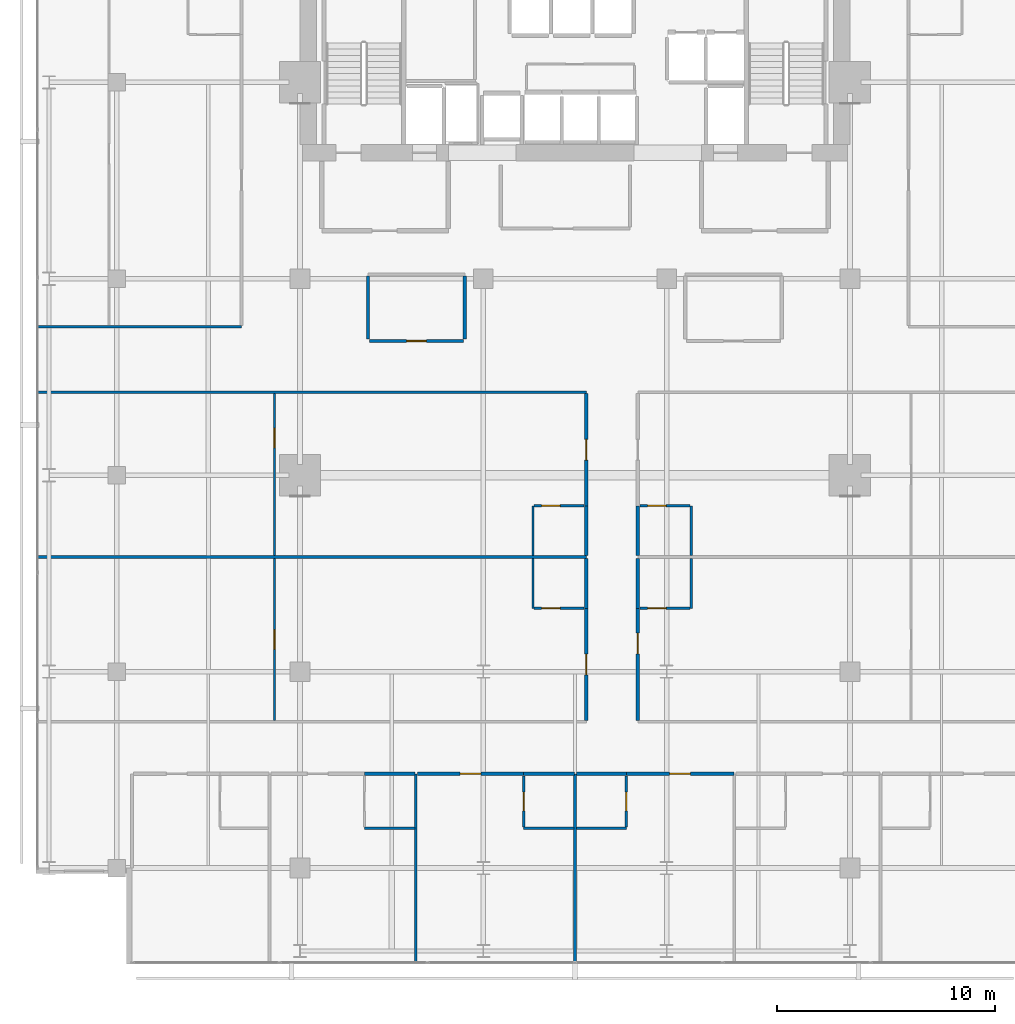
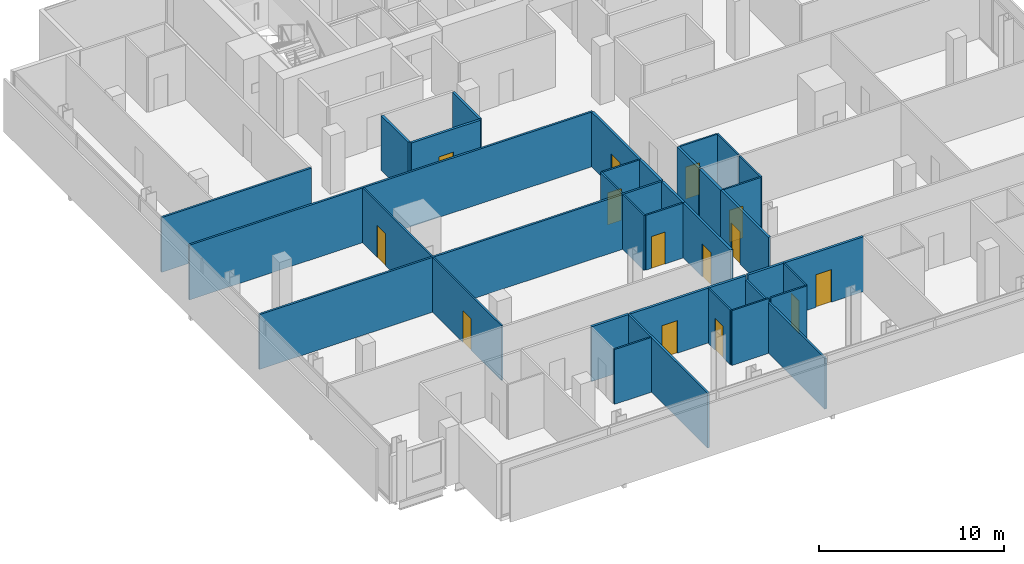
# One storey, part 27 of 33: 35 walls, 14 doors, 14 openings.
"""IFC4 building model written with IfcOpenShell, lengths in metres."""

from ifc_helpers import new_model, si_unit, direction, frame, frame_2d, origin, place, context, subcontext, project, spatial, rectangle, extrude, material, layer, layer_set, type_object, element, fill, save


model = new_model("IFC4")

# Units and contexts
model_context = context("Model", 3, precision=1e-05, world=origin(), true_north=direction((0.0, 1.0)))
body_context = subcontext(model_context, "Body", "Model", "MODEL_VIEW")
ifc_project = project(units=[si_unit("LENGTHUNIT", "METRE"), si_unit("AREAUNIT", "SQUARE_METRE"), si_unit("VOLUMEUNIT", "CUBIC_METRE"), si_unit("PLANEANGLEUNIT", "RADIAN"), si_unit("MASSUNIT", "GRAM", prefix="KILO")], contexts=[model_context])

# Site, building, storey
site_placement = place(None, origin())
site = spatial("IfcSite", under=ifc_project, at=site_placement, CompositionType="ELEMENT")
building_placement = place(site_placement, origin())
building = spatial("IfcBuilding", under=site, at=building_placement, Name="Maruvema Waterfront Hotel and Observation Tower", CompositionType="ELEMENT")
storey_placement = place(building_placement, frame((0.0, 0.0, 196.699951171875)))
storey = spatial("IfcBuildingStorey", under=building, at=storey_placement, Name="L48", CompositionType="ELEMENT", Elevation=196.699951171875)

# Walls
ifc_material_1 = material(Name="Twin-stud acoustic gypsum drywall", Category="gypsum")
ifc_layer_1 = layer(ifc_material_1, 0.14990234375, Name="Acoustic Corridor and Suite Demising Wall 150 mm")
ifc_layer_set_1 = layer_set([ifc_layer_1], Name="Twin-stud acoustic gypsum drywall")
wall_type_1 = type_object("IfcWallType", Name="Acoustic Corridor and Suite Demising Wall 150 mm", PredefinedType="PARTITIONING", material=ifc_layer_set_1)
for number, where, z_axis, x_axis, name in (
    (1, (28.320068359375, 33.22998046875, 0.0), (0.0, 0.0, 1.0), (0.0, 1.0, 0.0), "L48 L48-M1 West Wall 022"),
    (2, (32.75, 33.22998046875, 0.0), (0.0, 0.0, 1.0), (0.0, 1.0, 0.0), "L48 L48-M1 East Wall 023"),
):
    element("IfcWall", number, at=place(storey_placement, frame(where, z_axis=z_axis, x_axis=x_axis)), inside=storey, type_object=wall_type_1, Name=name, PredefinedType="PARTITIONING", context=body_context, shape_type="SweptSolid", body=[
        extrude(rectangle(XDim=2.89013671875, YDim=0.14990234375, at=frame_2d((1.445068359375, 0.0))), origin(), (0.0, 0.0, 1.0), 3.610107421875),
    ])

# Wall, opening, door
wall_1_placement = place(storey_placement, frame((28.3798828125, 33.14990234375, 0.0), z_axis=(0.0, 0.0, 1.0), x_axis=(1.0, 0.0, 0.0)))
wall_1 = element("IfcWall", 3, at=wall_1_placement, inside=storey, type_object=wall_type_1, Name="L48 L48-M1 Front 1 024", PredefinedType="PARTITIONING", context=body_context, shape_type="SweptSolid", body=[
    extrude(rectangle(XDim=4.31005859375, YDim=0.14990234375, at=frame_2d((2.155029296875, 0.0))), origin(), (0.0, 0.0, 1.0), 3.610107421875),
])
opening_1_placement = place(wall_1_placement, frame((1.705078125, 0.0, 0.0)))
opening_1 = element("IfcOpeningElement", 4, at=opening_1_placement, cuts=wall_1, Name="Opening DR-090", PredefinedType="OPENING", context=body_context, shape_type="SweptSolid", body=[
    extrude(rectangle(XDim=0.89990234375, YDim=2.10009765625, at=frame_2d((0.449951171875, 1.050048828125))), frame((0.0, 0.0849609375, 0.0), z_axis=(0.0, -1.0, 0.0), x_axis=(1.0, 0.0, 0.0)), (0.0, 0.0, 1.0), 0.169921875),
])
ifc_material_2 = material(Name="Solid-core lacquered timber leaf", Category="wood")
door_type_1 = type_object("IfcDoorType", Name="Accessible Toilet and Room Door 900x2100 mm", OperationType="NOTDEFINED", PredefinedType="DOOR", material=ifc_material_2)
door_1_placement = place(opening_1_placement, frame((0.89990234375, 0.0, 0.0), z_axis=(0.0, 0.0, 1.0), x_axis=(-1.0, 0.0, 0.0)))
door_1 = element("IfcDoor", 5, at=door_1_placement, inside=storey, type_object=door_type_1, Name="L48 Executive Office 1 Door", OperationType="SINGLE_SWING_RIGHT", OverallHeight=2.10009765625, OverallWidth=0.89990234375, PredefinedType="DOOR", context=body_context, shape_type="SweptSolid", body=[
    extrude(rectangle(XDim=0.89990234375, YDim=2.10009765625, at=frame_2d((0.449951171875, 1.050048828125))), frame((0.0, 0.02490234375, 0.0), z_axis=(0.0, -1.0, 0.0), x_axis=(1.0, 0.0, 0.0)), (0.0, 0.0, 1.0), 0.050048828125),
])
fill(opening_1, door_1)

# Walls
for number, where, z_axis, x_axis, name in (
    (6, (28.14990234375, 13.320068359375, 0.0), (0.0, 0.0, 1.0), (1.0, 0.0, 0.0), "L48 Bath L48-S2 Back Wall 036"),
    (7, (35.449951171875, 13.320068359375, 0.0), (0.0, 0.0, 1.0), (1.0, 0.0, 0.0), "L48 Bath L48-S3 Back Wall 041"),
):
    element("IfcWall", number, at=place(storey_placement, frame(where, z_axis=z_axis, x_axis=x_axis)), inside=storey, type_object=wall_type_1, Name=name, PredefinedType="PARTITIONING", context=body_context, shape_type="SweptSolid", body=[
        extrude(rectangle(XDim=2.330078125, YDim=0.14990234375, at=frame_2d((1.1650390625, 0.0))), origin(), (0.0, 0.0, 1.0), 3.610107421875),
    ])

# Wall, opening, door
wall_2_placement = place(storey_placement, frame((30.580078125, 13.320068359375, 0.0), z_axis=(0.0, 0.0, 1.0), x_axis=(1.0, 0.0, 0.0)))
wall_2 = element("IfcWall", 8, at=wall_2_placement, inside=storey, type_object=wall_type_1, Name="L48 Unit L48-S3 Corridor Wall 044", PredefinedType="PARTITIONING", context=body_context, shape_type="SweptSolid", body=[
    extrude(rectangle(XDim=4.869873046875, YDim=0.14990234375, at=frame_2d((2.43505859375, 0.0))), origin(), (0.0, 0.0, 1.0), 3.610107421875),
])
opening_2_placement = place(wall_2_placement, frame((1.9599609375, 0.0, 0.0)))
opening_2 = element("IfcOpeningElement", 9, at=opening_2_placement, cuts=wall_2, Name="Opening DR-095", PredefinedType="OPENING", context=body_context, shape_type="SweptSolid", body=[
    extrude(rectangle(XDim=0.949951171875, YDim=2.14990234375, at=frame_2d((0.47509765625, 1.074951171875))), frame((0.0, 0.0849609375, 0.0), z_axis=(0.0, -1.0, 0.0), x_axis=(1.0, 0.0, 0.0)), (0.0, 0.0, 1.0), 0.169921875),
])
ifc_material_3 = material(Name="Acoustic solid-core hardwood timber leaf", Category="wood")
door_type_2 = type_object("IfcDoorType", Name="Guestroom Entrance Fire Door 950x2150 mm", OperationType="NOTDEFINED", PredefinedType="DOOR", material=ifc_material_3)
door_2_placement = place(opening_2_placement, frame((0.949951171875, 0.0, 0.0), z_axis=(0.0, 0.0, 1.0), x_axis=(-1.0, 0.0, 0.0)))
door_2 = element("IfcDoor", 10, at=door_2_placement, inside=storey, type_object=door_type_2, Name="L48 Unit L48-S3 Entrance Door", OperationType="SINGLE_SWING_LEFT", OverallHeight=2.14990234375, OverallWidth=0.949951171875, PredefinedType="DOOR", context=body_context, shape_type="SweptSolid", body=[
    extrude(rectangle(XDim=0.949951171875, YDim=2.14990234375, at=frame_2d((0.47509765625, 1.074951171875))), frame((0.0, 0.02490234375, 0.0), z_axis=(0.0, -1.0, 0.0), x_axis=(1.0, 0.0, 0.0)), (0.0, 0.0, 1.0), 0.050048828125),
])
fill(opening_2, door_2)

# Wall
wall_3_placement = place(storey_placement, frame((37.8798828125, 13.320068359375, 0.0), z_axis=(0.0, 0.0, 1.0), x_axis=(1.0, 0.0, 0.0)))
element("IfcWall", 11, at=wall_3_placement, inside=storey, type_object=wall_type_1, Name="L48 Bath L48-S4 Back Wall 046", PredefinedType="PARTITIONING", context=body_context, shape_type="SweptSolid", body=[
    extrude(rectangle(XDim=2.27001953125, YDim=0.14990234375, at=frame_2d((1.135009765625, 0.0))), origin(), (0.0, 0.0, 1.0), 3.610107421875),
])

# Wall, opening, door
wall_4_placement = place(storey_placement, frame((40.14990234375, 13.320068359375, 0.0), z_axis=(0.0, 0.0, 1.0), x_axis=(1.0, 0.0, 0.0)))
wall_4 = element("IfcWall", 12, at=wall_4_placement, inside=storey, type_object=wall_type_1, Name="L48 Unit L48-S4 Corridor Wall 049", PredefinedType="PARTITIONING", context=body_context, shape_type="SweptSolid", body=[
    extrude(rectangle(XDim=4.93017578125, YDim=0.14990234375, at=frame_2d((2.465087890625, 0.0))), origin(), (0.0, 0.0, 1.0), 3.610107421875),
])
opening_3_placement = place(wall_4_placement, frame((1.989990234375, 0.0, 0.0)))
opening_3 = element("IfcOpeningElement", 13, at=opening_3_placement, cuts=wall_4, Name="Opening DR-095", PredefinedType="OPENING", context=body_context, shape_type="SweptSolid", body=[
    extrude(rectangle(XDim=0.949951171875, YDim=2.14990234375, at=frame_2d((0.47509765625, 1.074951171875))), frame((0.0, 0.0849609375, 0.0), z_axis=(0.0, -1.0, 0.0), x_axis=(1.0, 0.0, 0.0)), (0.0, 0.0, 1.0), 0.169921875),
])
door_3_placement = place(opening_3_placement, frame((0.949951171875, 0.0, 0.0), z_axis=(0.0, 0.0, 1.0), x_axis=(-1.0, 0.0, 0.0)))
door_3 = element("IfcDoor", 14, at=door_3_placement, inside=storey, type_object=door_type_2, Name="L48 Unit L48-S4 Entrance Door", OperationType="SINGLE_SWING_LEFT", OverallHeight=2.14990234375, OverallWidth=0.949951171875, PredefinedType="DOOR", context=body_context, shape_type="SweptSolid", body=[
    extrude(rectangle(XDim=0.949951171875, YDim=2.14990234375, at=frame_2d((0.47509765625, 1.074951171875))), frame((0.0, 0.02490234375, 0.0), z_axis=(0.0, -1.0, 0.0), x_axis=(1.0, 0.0, 0.0)), (0.0, 0.0, 1.0), 0.050048828125),
])
fill(opening_3, door_3)

wall_5_placement = place(storey_placement, frame((38.320068359375, 15.760009765625, 0.0), z_axis=(0.0, 0.0, 1.0), x_axis=(0.0, 1.0, 0.0)))
wall_5 = element("IfcWall", 15, at=wall_5_placement, inside=storey, type_object=wall_type_1, Name="L48 Room L48-W1 Corridor Wall 064", PredefinedType="PARTITIONING", context=body_context, shape_type="SweptSolid", body=[
    extrude(rectangle(XDim=5.139892578125, YDim=0.14990234375, at=frame_2d((2.56982421875, 0.0))), origin(), (0.0, 0.0, 1.0), 3.610107421875),
])
opening_4_placement = place(wall_5_placement, frame((2.094970703125, 0.0, 0.0)))
opening_4 = element("IfcOpeningElement", 16, at=opening_4_placement, cuts=wall_5, Name="Opening DR-095", PredefinedType="OPENING", context=body_context, shape_type="SweptSolid", body=[
    extrude(rectangle(XDim=0.949951171875, YDim=2.14990234375, at=frame_2d((0.47509765625, 1.074951171875))), frame((0.0, 0.0849609375, 0.0), z_axis=(0.0, -1.0, 0.0), x_axis=(1.0, 0.0, 0.0)), (0.0, 0.0, 1.0), 0.169921875),
])
door_4_placement = place(opening_4_placement, origin())
door_4 = element("IfcDoor", 17, at=door_4_placement, inside=storey, type_object=door_type_2, Name="L48 Room L48-W1 Entrance Door", OperationType="SINGLE_SWING_LEFT", OverallHeight=2.14990234375, OverallWidth=0.949951171875, PredefinedType="DOOR", context=body_context, shape_type="SweptSolid", body=[
    extrude(rectangle(XDim=0.949951171875, YDim=2.14990234375, at=frame_2d((0.47509765625, 1.074951171875))), frame((0.0, 0.02490234375, 0.0), z_axis=(0.0, -1.0, 0.0), x_axis=(1.0, 0.0, 0.0)), (0.0, 0.0, 1.0), 0.050048828125),
])
fill(opening_4, door_4)

# Wall
wall_6_placement = place(storey_placement, frame((38.320068359375, 20.89990234375, 0.0), z_axis=(0.0, 0.0, 1.0), x_axis=(0.0, 1.0, 0.0)))
element("IfcWall", 18, at=wall_6_placement, inside=storey, type_object=wall_type_1, Name="L48 Bath L48-W1 Wall 065", PredefinedType="PARTITIONING", context=body_context, shape_type="SweptSolid", body=[
    extrude(rectangle(XDim=2.2900390625, YDim=0.14990234375, at=frame_2d((1.14501953125, 0.0))), origin(), (0.0, 0.0, 1.0), 3.610107421875),
])

# Wall, opening, door
wall_7_placement = place(storey_placement, frame((40.679931640625, 15.760009765625, 0.0), z_axis=(0.0, 0.0, 1.0), x_axis=(0.0, 1.0, 0.0)))
wall_7 = element("IfcWall", 19, at=wall_7_placement, inside=storey, type_object=wall_type_1, Name="L48 Room L48-E1 Corridor Wall 069", PredefinedType="PARTITIONING", context=body_context, shape_type="SweptSolid", body=[
    extrude(rectangle(XDim=5.139892578125, YDim=0.14990234375, at=frame_2d((2.56982421875, 0.0))), origin(), (0.0, 0.0, 1.0), 3.610107421875),
])
opening_5_placement = place(wall_7_placement, frame((3.054931640625, 0.0, 0.0)))
opening_5 = element("IfcOpeningElement", 20, at=opening_5_placement, cuts=wall_7, Name="Opening DR-095", PredefinedType="OPENING", context=body_context, shape_type="SweptSolid", body=[
    extrude(rectangle(XDim=0.949951171875, YDim=2.14990234375, at=frame_2d((0.47509765625, 1.074951171875))), frame((0.0, 0.0849609375, 0.0), z_axis=(0.0, -1.0, 0.0), x_axis=(1.0, 0.0, 0.0)), (0.0, 0.0, 1.0), 0.169921875),
])
door_5_placement = place(opening_5_placement, frame((0.949951171875, 0.0, 0.0), z_axis=(0.0, 0.0, 1.0), x_axis=(-1.0, 0.0, 0.0)))
door_5 = element("IfcDoor", 21, at=door_5_placement, inside=storey, type_object=door_type_2, Name="L48 Room L48-E1 Entrance Door", OperationType="SINGLE_SWING_RIGHT", OverallHeight=2.14990234375, OverallWidth=0.949951171875, PredefinedType="DOOR", context=body_context, shape_type="SweptSolid", body=[
    extrude(rectangle(XDim=0.949951171875, YDim=2.14990234375, at=frame_2d((0.47509765625, 1.074951171875))), frame((0.0, 0.02490234375, 0.0), z_axis=(0.0, -1.0, 0.0), x_axis=(1.0, 0.0, 0.0)), (0.0, 0.0, 1.0), 0.050048828125),
])
fill(opening_5, door_5)

# Walls
for number, where, z_axis, x_axis, name in (
    (22, (40.679931640625, 20.89990234375, 0.0), (0.0, 0.0, 1.0), (0.0, 1.0, 0.0), "L48 Bath L48-E1 Wall 070"),
    (23, (38.320068359375, 23.31005859375, 0.0), (0.0, 0.0, 1.0), (0.0, 1.0, 0.0), "L48 Bath L48-W2 Wall 076"),
):
    element("IfcWall", number, at=place(storey_placement, frame(where, z_axis=z_axis, x_axis=x_axis)), inside=storey, type_object=wall_type_1, Name=name, PredefinedType="PARTITIONING", context=body_context, shape_type="SweptSolid", body=[
        extrude(rectangle(XDim=2.2900390625, YDim=0.14990234375, at=frame_2d((1.14501953125, 0.0))), origin(), (0.0, 0.0, 1.0), 3.610107421875),
    ])

# Wall, opening, door
wall_8_placement = place(storey_placement, frame((38.320068359375, 25.60009765625, 0.0), z_axis=(0.0, 0.0, 1.0), x_axis=(0.0, 1.0, 0.0)))
wall_8 = element("IfcWall", 24, at=wall_8_placement, inside=storey, type_object=wall_type_1, Name="L48 Room L48-W2 Corridor Wall 077", PredefinedType="PARTITIONING", context=body_context, shape_type="SweptSolid", body=[
    extrude(rectangle(XDim=5.139892578125, YDim=0.14990234375, at=frame_2d((2.56982421875, 0.0))), origin(), (0.0, 0.0, 1.0), 3.610107421875),
])
opening_6_placement = place(wall_8_placement, frame((2.094970703125, 0.0, 0.0)))
opening_6 = element("IfcOpeningElement", 25, at=opening_6_placement, cuts=wall_8, Name="Opening DR-095", PredefinedType="OPENING", context=body_context, shape_type="SweptSolid", body=[
    extrude(rectangle(XDim=0.949951171875, YDim=2.14990234375, at=frame_2d((0.47509765625, 1.074951171875))), frame((0.0, 0.0849609375, 0.0), z_axis=(0.0, -1.0, 0.0), x_axis=(1.0, 0.0, 0.0)), (0.0, 0.0, 1.0), 0.169921875),
])
door_6_placement = place(opening_6_placement, origin())
door_6 = element("IfcDoor", 26, at=door_6_placement, inside=storey, type_object=door_type_2, Name="L48 Room L48-W2 Entrance Door", OperationType="SINGLE_SWING_LEFT", OverallHeight=2.14990234375, OverallWidth=0.949951171875, PredefinedType="DOOR", context=body_context, shape_type="SweptSolid", body=[
    extrude(rectangle(XDim=0.949951171875, YDim=2.14990234375, at=frame_2d((0.47509765625, 1.074951171875))), frame((0.0, 0.02490234375, 0.0), z_axis=(0.0, -1.0, 0.0), x_axis=(1.0, 0.0, 0.0)), (0.0, 0.0, 1.0), 0.050048828125),
])
fill(opening_6, door_6)

# Walls
wall_9_placement = place(storey_placement, frame((40.679931640625, 23.31005859375, 0.0), z_axis=(0.0, 0.0, 1.0), x_axis=(0.0, 1.0, 0.0)))
element("IfcWall", 27, at=wall_9_placement, inside=storey, type_object=wall_type_1, Name="L48 Bath L48-E2 Wall 081", PredefinedType="PARTITIONING", context=body_context, shape_type="SweptSolid", body=[
    extrude(rectangle(XDim=2.2900390625, YDim=0.14990234375, at=frame_2d((1.14501953125, 0.0))), origin(), (0.0, 0.0, 1.0), 3.610107421875),
])
ifc_material_4 = material(Name="Moisture-resistant cement-board drywall", Category="gypsum")
ifc_layer_2 = layer(ifc_material_4, 0.10009765625, Name="En-Suite Moisture-Resistant Partition 100 mm")
ifc_layer_set_2 = layer_set([ifc_layer_2], Name="Moisture-resistant cement-board drywall")
wall_type_2 = type_object("IfcWallType", Name="En-Suite Moisture-Resistant Partition 100 mm", PredefinedType="PARTITIONING", material=ifc_layer_set_2)
for number, where, z_axis, x_axis, name in (
    (28, (28.14990234375, 10.820068359375, 0.0), (0.0, 0.0, 1.0), (1.0, 0.0, 0.0), "L48 En-Suite L48-S2 South 037"),
    (29, (35.449951171875, 10.820068359375, 0.0), (0.0, 0.0, 1.0), (1.0, 0.0, 0.0), "L48 En-Suite L48-S3 South 042"),
):
    element("IfcWall", number, at=place(storey_placement, frame(where, z_axis=z_axis, x_axis=x_axis)), inside=storey, type_object=wall_type_2, Name=name, PredefinedType="PARTITIONING", context=body_context, shape_type="SweptSolid", body=[
        extrude(rectangle(XDim=2.31005859375, YDim=0.10009765625, at=frame_2d((1.155029296875, 0.0))), origin(), (0.0, 0.0, 1.0), 3.610107421875),
    ])

# Wall, opening, door
wall_10_placement = place(storey_placement, frame((35.449951171875, 10.8798828125, 0.0), z_axis=(0.0, 0.0, 1.0), x_axis=(0.0, 1.0, 0.0)))
wall_10 = element("IfcWall", 30, at=wall_10_placement, inside=storey, type_object=wall_type_2, Name="L48 En-Suite L48-S3 West 043", PredefinedType="PARTITIONING", context=body_context, shape_type="SweptSolid", body=[
    extrude(rectangle(XDim=2.340087890625, YDim=0.10009765625, at=frame_2d((1.169921875, 0.0))), origin(), (0.0, 0.0, 1.0), 3.610107421875),
])
opening_7_placement = place(wall_10_placement, frame((0.7451171875, 0.0, 0.0)))
opening_7 = element("IfcOpeningElement", 31, at=opening_7_placement, cuts=wall_10, Name="Opening DR-085", PredefinedType="OPENING", context=body_context, shape_type="SweptSolid", body=[
    extrude(rectangle(XDim=0.85009765625, YDim=2.10009765625, at=frame_2d((0.425048828125, 1.050048828125))), frame((0.0, 0.06005859375, 0.0), z_axis=(0.0, -1.0, 0.0), x_axis=(1.0, 0.0, 0.0)), (0.0, 0.0, 1.0), 0.1201171875),
])
ifc_material_5 = material(Name="Moisture-resistant solid timber leaf", Category="wood")
door_type_3 = type_object("IfcDoorType", Name="En-Suite Bathroom Door 850x2100 mm", OperationType="NOTDEFINED", PredefinedType="DOOR", material=ifc_material_5)
door_7_placement = place(opening_7_placement, origin())
door_7 = element("IfcDoor", 32, at=door_7_placement, inside=storey, type_object=door_type_3, Name="L48 En-Suite L48-S3 Door", OperationType="SINGLE_SWING_RIGHT", OverallHeight=2.10009765625, OverallWidth=0.85009765625, PredefinedType="DOOR", context=body_context, shape_type="SweptSolid", body=[
    extrude(rectangle(XDim=0.85009765625, YDim=2.10009765625, at=frame_2d((0.425048828125, 1.050048828125))), frame((0.0, 0.02490234375, 0.0), z_axis=(0.0, -1.0, 0.0), x_axis=(1.0, 0.0, 0.0)), (0.0, 0.0, 1.0), 0.050048828125),
])
fill(opening_7, door_7)

# Wall
wall_11_placement = place(storey_placement, frame((37.8798828125, 10.820068359375, 0.0), z_axis=(0.0, 0.0, 1.0), x_axis=(1.0, 0.0, 0.0)))
element("IfcWall", 33, at=wall_11_placement, inside=storey, type_object=wall_type_2, Name="L48 En-Suite L48-S4 South 047", PredefinedType="PARTITIONING", context=body_context, shape_type="SweptSolid", body=[
    extrude(rectangle(XDim=2.27001953125, YDim=0.10009765625, at=frame_2d((1.135009765625, 0.0))), origin(), (0.0, 0.0, 1.0), 3.610107421875),
])

# Wall, opening, door
wall_12_placement = place(storey_placement, frame((40.14990234375, 10.8798828125, 0.0), z_axis=(0.0, 0.0, 1.0), x_axis=(0.0, 1.0, 0.0)))
wall_12 = element("IfcWall", 34, at=wall_12_placement, inside=storey, type_object=wall_type_2, Name="L48 En-Suite L48-S4 East 048", PredefinedType="PARTITIONING", context=body_context, shape_type="SweptSolid", body=[
    extrude(rectangle(XDim=2.340087890625, YDim=0.10009765625, at=frame_2d((1.169921875, 0.0))), origin(), (0.0, 0.0, 1.0), 3.610107421875),
])
opening_8_placement = place(wall_12_placement, frame((0.7451171875, 0.0, 0.0)))
opening_8 = element("IfcOpeningElement", 35, at=opening_8_placement, cuts=wall_12, Name="Opening DR-085", PredefinedType="OPENING", context=body_context, shape_type="SweptSolid", body=[
    extrude(rectangle(XDim=0.85009765625, YDim=2.10009765625, at=frame_2d((0.425048828125, 1.050048828125))), frame((0.0, 0.06005859375, 0.0), z_axis=(0.0, -1.0, 0.0), x_axis=(1.0, 0.0, 0.0)), (0.0, 0.0, 1.0), 0.1201171875),
])
door_8_placement = place(opening_8_placement, frame((0.85009765625, 0.0, 0.0), z_axis=(0.0, 0.0, 1.0), x_axis=(-1.0, 0.0, 0.0)))
door_8 = element("IfcDoor", 36, at=door_8_placement, inside=storey, type_object=door_type_3, Name="L48 En-Suite L48-S4 Door", OperationType="SINGLE_SWING_RIGHT", OverallHeight=2.10009765625, OverallWidth=0.85009765625, PredefinedType="DOOR", context=body_context, shape_type="SweptSolid", body=[
    extrude(rectangle(XDim=0.85009765625, YDim=2.10009765625, at=frame_2d((0.425048828125, 1.050048828125))), frame((0.0, 0.02490234375, 0.0), z_axis=(0.0, -1.0, 0.0), x_axis=(1.0, 0.0, 0.0)), (0.0, 0.0, 1.0), 0.050048828125),
])
fill(opening_8, door_8)

# Wall
wall_13_placement = place(storey_placement, frame((35.8701171875, 20.89990234375, 0.0), z_axis=(0.0, 0.0, 1.0), x_axis=(0.0, 1.0, 0.0)))
element("IfcWall", 37, at=wall_13_placement, inside=storey, type_object=wall_type_2, Name="L48 En-Suite L48-W1 W 066", PredefinedType="PARTITIONING", context=body_context, shape_type="SweptSolid", body=[
    extrude(rectangle(XDim=2.2900390625, YDim=0.10009765625, at=frame_2d((1.14501953125, 0.0))), origin(), (0.0, 0.0, 1.0), 3.610107421875),
])

# Wall, opening, door
wall_14_placement = place(storey_placement, frame((35.919921875, 20.89990234375, 0.0), z_axis=(0.0, 0.0, 1.0), x_axis=(1.0, 0.0, 0.0)))
wall_14 = element("IfcWall", 38, at=wall_14_placement, inside=storey, type_object=wall_type_2, Name="L48 En-Suite L48-W1 S 067", PredefinedType="PARTITIONING", context=body_context, shape_type="SweptSolid", body=[
    extrude(rectangle(XDim=2.300048828125, YDim=0.10009765625, at=frame_2d((1.14990234375, 0.0))), origin(), (0.0, 0.0, 1.0), 3.610107421875),
])
opening_9_placement = place(wall_14_placement, frame((0.35009765625, 0.0, 0.0)))
opening_9 = element("IfcOpeningElement", 39, at=opening_9_placement, cuts=wall_14, Name="Opening DR-085", PredefinedType="OPENING", context=body_context, shape_type="SweptSolid", body=[
    extrude(rectangle(XDim=0.85009765625, YDim=2.10009765625, at=frame_2d((0.425048828125, 1.050048828125))), frame((0.0, 0.06005859375, 0.0), z_axis=(0.0, -1.0, 0.0), x_axis=(1.0, 0.0, 0.0)), (0.0, 0.0, 1.0), 0.1201171875),
])
door_9_placement = place(opening_9_placement, frame((0.85009765625, 0.0, 0.0), z_axis=(0.0, 0.0, 1.0), x_axis=(-1.0, 0.0, 0.0)))
door_9 = element("IfcDoor", 40, at=door_9_placement, inside=storey, type_object=door_type_3, Name="L48 En-Suite L48-W1 Door", OperationType="SINGLE_SWING_RIGHT", OverallHeight=2.10009765625, OverallWidth=0.85009765625, PredefinedType="DOOR", context=body_context, shape_type="SweptSolid", body=[
    extrude(rectangle(XDim=0.85009765625, YDim=2.10009765625, at=frame_2d((0.425048828125, 1.050048828125))), frame((0.0, 0.02490234375, 0.0), z_axis=(0.0, -1.0, 0.0), x_axis=(1.0, 0.0, 0.0)), (0.0, 0.0, 1.0), 0.050048828125),
])
fill(opening_9, door_9)

wall_15_placement = place(storey_placement, frame((24.029541015625, 15.760009765625, 0.0), z_axis=(0.0, 0.0, 1.0), x_axis=(0.0, 1.0, 0.0)))
wall_15 = element("IfcWall", 41, at=wall_15_placement, inside=storey, type_object=wall_type_2, Name="L48 Suite L48-W1 Split 068", PredefinedType="PARTITIONING", context=body_context, shape_type="SweptSolid", body=[
    extrude(rectangle(XDim=7.429931640625, YDim=0.10009765625, at=frame_2d((3.71484375, 0.0))), origin(), (0.0, 0.0, 1.0), 3.610107421875),
])
opening_10_placement = place(wall_15_placement, frame((3.264892578125, 0.0, 0.0)))
opening_10 = element("IfcOpeningElement", 42, at=opening_10_placement, cuts=wall_15, Name="Opening DR-090", PredefinedType="OPENING", context=body_context, shape_type="SweptSolid", body=[
    extrude(rectangle(XDim=0.89990234375, YDim=2.10009765625, at=frame_2d((0.449951171875, 1.050048828125))), frame((0.0, 0.06005859375, 0.0), z_axis=(0.0, -1.0, 0.0), x_axis=(1.0, 0.0, 0.0)), (0.0, 0.0, 1.0), 0.1201171875),
])
door_10_placement = place(opening_10_placement, origin())
door_10 = element("IfcDoor", 43, at=door_10_placement, inside=storey, type_object=door_type_1, Name="L48 Suite L48-W1 Bedroom Door", OperationType="SINGLE_SWING_RIGHT", OverallHeight=2.10009765625, OverallWidth=0.89990234375, PredefinedType="DOOR", context=body_context, shape_type="SweptSolid", body=[
    extrude(rectangle(XDim=0.89990234375, YDim=2.10009765625, at=frame_2d((0.449951171875, 1.050048828125))), frame((0.0, 0.02490234375, 0.0), z_axis=(0.0, -1.0, 0.0), x_axis=(1.0, 0.0, 0.0)), (0.0, 0.0, 1.0), 0.050048828125),
])
fill(opening_10, door_10)

# Wall
wall_16_placement = place(storey_placement, frame((43.1298828125, 20.89990234375, 0.0), z_axis=(0.0, 0.0, 1.0), x_axis=(0.0, 1.0, 0.0)))
element("IfcWall", 44, at=wall_16_placement, inside=storey, type_object=wall_type_2, Name="L48 En-Suite L48-E1 E 071", PredefinedType="PARTITIONING", context=body_context, shape_type="SweptSolid", body=[
    extrude(rectangle(XDim=2.2900390625, YDim=0.10009765625, at=frame_2d((1.14501953125, 0.0))), origin(), (0.0, 0.0, 1.0), 3.610107421875),
])

# Wall, opening, door
wall_17_placement = place(storey_placement, frame((40.780029296875, 20.89990234375, 0.0), z_axis=(0.0, 0.0, 1.0), x_axis=(1.0, 0.0, 0.0)))
wall_17 = element("IfcWall", 45, at=wall_17_placement, inside=storey, type_object=wall_type_2, Name="L48 En-Suite L48-E1 S 072", PredefinedType="PARTITIONING", context=body_context, shape_type="SweptSolid", body=[
    extrude(rectangle(XDim=2.300048828125, YDim=0.10009765625, at=frame_2d((1.14990234375, 0.0))), origin(), (0.0, 0.0, 1.0), 3.610107421875),
])
opening_11_placement = place(wall_17_placement, frame((0.35009765625, 0.0, 0.0)))
opening_11 = element("IfcOpeningElement", 46, at=opening_11_placement, cuts=wall_17, Name="Opening DR-085", PredefinedType="OPENING", context=body_context, shape_type="SweptSolid", body=[
    extrude(rectangle(XDim=0.85009765625, YDim=2.10009765625, at=frame_2d((0.425048828125, 1.050048828125))), frame((0.0, 0.06005859375, 0.0), z_axis=(0.0, -1.0, 0.0), x_axis=(1.0, 0.0, 0.0)), (0.0, 0.0, 1.0), 0.1201171875),
])
door_11_placement = place(opening_11_placement, frame((0.85009765625, 0.0, 0.0), z_axis=(0.0, 0.0, 1.0), x_axis=(-1.0, 0.0, 0.0)))
door_11 = element("IfcDoor", 47, at=door_11_placement, inside=storey, type_object=door_type_3, Name="L48 En-Suite L48-E1 Door", OperationType="SINGLE_SWING_LEFT", OverallHeight=2.10009765625, OverallWidth=0.85009765625, PredefinedType="DOOR", context=body_context, shape_type="SweptSolid", body=[
    extrude(rectangle(XDim=0.85009765625, YDim=2.10009765625, at=frame_2d((0.425048828125, 1.050048828125))), frame((0.0, 0.02490234375, 0.0), z_axis=(0.0, -1.0, 0.0), x_axis=(1.0, 0.0, 0.0)), (0.0, 0.0, 1.0), 0.050048828125),
])
fill(opening_11, door_11)

# Wall
wall_18_placement = place(storey_placement, frame((35.8701171875, 23.31005859375, 0.0), z_axis=(0.0, 0.0, 1.0), x_axis=(0.0, 1.0, 0.0)))
element("IfcWall", 48, at=wall_18_placement, inside=storey, type_object=wall_type_2, Name="L48 En-Suite L48-W2 W 078", PredefinedType="PARTITIONING", context=body_context, shape_type="SweptSolid", body=[
    extrude(rectangle(XDim=2.2900390625, YDim=0.10009765625, at=frame_2d((1.14501953125, 0.0))), origin(), (0.0, 0.0, 1.0), 3.610107421875),
])

# Wall, opening, door
wall_19_placement = place(storey_placement, frame((35.919921875, 25.60009765625, 0.0), z_axis=(0.0, 0.0, 1.0), x_axis=(1.0, 0.0, 0.0)))
wall_19 = element("IfcWall", 49, at=wall_19_placement, inside=storey, type_object=wall_type_2, Name="L48 En-Suite L48-W2 N 079", PredefinedType="PARTITIONING", context=body_context, shape_type="SweptSolid", body=[
    extrude(rectangle(XDim=2.300048828125, YDim=0.10009765625, at=frame_2d((1.14990234375, 0.0))), origin(), (0.0, 0.0, 1.0), 3.610107421875),
])
opening_12_placement = place(wall_19_placement, frame((0.35009765625, 0.0, 0.0)))
opening_12 = element("IfcOpeningElement", 50, at=opening_12_placement, cuts=wall_19, Name="Opening DR-085", PredefinedType="OPENING", context=body_context, shape_type="SweptSolid", body=[
    extrude(rectangle(XDim=0.85009765625, YDim=2.10009765625, at=frame_2d((0.425048828125, 1.050048828125))), frame((0.0, 0.06005859375, 0.0), z_axis=(0.0, -1.0, 0.0), x_axis=(1.0, 0.0, 0.0)), (0.0, 0.0, 1.0), 0.1201171875),
])
door_12_placement = place(opening_12_placement, origin())
door_12 = element("IfcDoor", 51, at=door_12_placement, inside=storey, type_object=door_type_3, Name="L48 En-Suite L48-W2 Door", OperationType="SINGLE_SWING_RIGHT", OverallHeight=2.10009765625, OverallWidth=0.85009765625, PredefinedType="DOOR", context=body_context, shape_type="SweptSolid", body=[
    extrude(rectangle(XDim=0.85009765625, YDim=2.10009765625, at=frame_2d((0.425048828125, 1.050048828125))), frame((0.0, 0.02490234375, 0.0), z_axis=(0.0, -1.0, 0.0), x_axis=(1.0, 0.0, 0.0)), (0.0, 0.0, 1.0), 0.050048828125),
])
fill(opening_12, door_12)

wall_20_placement = place(storey_placement, frame((24.029541015625, 23.31005859375, 0.0), z_axis=(0.0, 0.0, 1.0), x_axis=(0.0, 1.0, 0.0)))
wall_20 = element("IfcWall", 52, at=wall_20_placement, inside=storey, type_object=wall_type_2, Name="L48 Suite L48-W2 Split 080", PredefinedType="PARTITIONING", context=body_context, shape_type="SweptSolid", body=[
    extrude(rectangle(XDim=7.429931640625, YDim=0.10009765625, at=frame_2d((3.71484375, 0.0))), origin(), (0.0, 0.0, 1.0), 3.610107421875),
])
opening_13_placement = place(wall_20_placement, frame((4.945068359375, 0.0, 0.0)))
opening_13 = element("IfcOpeningElement", 53, at=opening_13_placement, cuts=wall_20, Name="Opening DR-090", PredefinedType="OPENING", context=body_context, shape_type="SweptSolid", body=[
    extrude(rectangle(XDim=0.89990234375, YDim=2.10009765625, at=frame_2d((0.449951171875, 1.050048828125))), frame((0.0, 0.06005859375, 0.0), z_axis=(0.0, -1.0, 0.0), x_axis=(1.0, 0.0, 0.0)), (0.0, 0.0, 1.0), 0.1201171875),
])
door_13_placement = place(opening_13_placement, origin())
door_13 = element("IfcDoor", 54, at=door_13_placement, inside=storey, type_object=door_type_1, Name="L48 Suite L48-W2 Bedroom Door", OperationType="SINGLE_SWING_RIGHT", OverallHeight=2.10009765625, OverallWidth=0.89990234375, PredefinedType="DOOR", context=body_context, shape_type="SweptSolid", body=[
    extrude(rectangle(XDim=0.89990234375, YDim=2.10009765625, at=frame_2d((0.449951171875, 1.050048828125))), frame((0.0, 0.02490234375, 0.0), z_axis=(0.0, -1.0, 0.0), x_axis=(1.0, 0.0, 0.0)), (0.0, 0.0, 1.0), 0.050048828125),
])
fill(opening_13, door_13)

# Wall
wall_21_placement = place(storey_placement, frame((43.1298828125, 23.31005859375, 0.0), z_axis=(0.0, 0.0, 1.0), x_axis=(0.0, 1.0, 0.0)))
element("IfcWall", 55, at=wall_21_placement, inside=storey, type_object=wall_type_2, Name="L48 En-Suite L48-E2 E 083", PredefinedType="PARTITIONING", context=body_context, shape_type="SweptSolid", body=[
    extrude(rectangle(XDim=2.2900390625, YDim=0.10009765625, at=frame_2d((1.14501953125, 0.0))), origin(), (0.0, 0.0, 1.0), 3.610107421875),
])

# Wall, opening, door
wall_22_placement = place(storey_placement, frame((40.780029296875, 25.60009765625, 0.0), z_axis=(0.0, 0.0, 1.0), x_axis=(1.0, 0.0, 0.0)))
wall_22 = element("IfcWall", 56, at=wall_22_placement, inside=storey, type_object=wall_type_2, Name="L48 En-Suite L48-E2 N 084", PredefinedType="PARTITIONING", context=body_context, shape_type="SweptSolid", body=[
    extrude(rectangle(XDim=2.300048828125, YDim=0.10009765625, at=frame_2d((1.14990234375, 0.0))), origin(), (0.0, 0.0, 1.0), 3.610107421875),
])
opening_14_placement = place(wall_22_placement, frame((0.35009765625, 0.0, 0.0)))
opening_14 = element("IfcOpeningElement", 57, at=opening_14_placement, cuts=wall_22, Name="Opening DR-085", PredefinedType="OPENING", context=body_context, shape_type="SweptSolid", body=[
    extrude(rectangle(XDim=0.85009765625, YDim=2.10009765625, at=frame_2d((0.425048828125, 1.050048828125))), frame((0.0, 0.06005859375, 0.0), z_axis=(0.0, -1.0, 0.0), x_axis=(1.0, 0.0, 0.0)), (0.0, 0.0, 1.0), 0.1201171875),
])
door_14_placement = place(opening_14_placement, origin())
door_14 = element("IfcDoor", 58, at=door_14_placement, inside=storey, type_object=door_type_3, Name="L48 En-Suite L48-E2 Door", OperationType="SINGLE_SWING_LEFT", OverallHeight=2.10009765625, OverallWidth=0.85009765625, PredefinedType="DOOR", context=body_context, shape_type="SweptSolid", body=[
    extrude(rectangle(XDim=0.85009765625, YDim=2.10009765625, at=frame_2d((0.425048828125, 1.050048828125))), frame((0.0, 0.02490234375, 0.0), z_axis=(0.0, -1.0, 0.0), x_axis=(1.0, 0.0, 0.0)), (0.0, 0.0, 1.0), 0.050048828125),
])
fill(opening_14, door_14)

# Walls
ifc_material_6 = material(Name="Acoustic gypsum plasterboard drywall", Category="gypsum")
ifc_layer_3 = layer(ifc_material_6, 0.125, Name="Guestroom Acoustic Demising Wall 125 mm")
ifc_layer_set_3 = layer_set([ifc_layer_3], Name="Acoustic gypsum plasterboard drywall")
wall_type_3 = type_object("IfcWallType", Name="Guestroom Acoustic Demising Wall 125 mm", PredefinedType="PARTITIONING", material=ifc_layer_set_3)
wall_23_placement = place(storey_placement, frame((30.5, 4.699951171875, 0.0), z_axis=(0.0, 0.0, 1.0), x_axis=(0.0, 1.0, 0.0)))
element("IfcWall", 59, at=wall_23_placement, inside=storey, type_object=wall_type_3, Name="L48 Z2 S Demising 3 040", PredefinedType="PARTITIONING", context=body_context, shape_type="SweptSolid", body=[
    extrude(rectangle(XDim=8.6201171875, YDim=0.125, at=frame_2d((4.31005859375, 0.0))), origin(), (0.0, 0.0, 1.0), 3.610107421875),
])
wall_24_placement = place(storey_placement, frame((37.800048828125, 4.699951171875, 0.0), z_axis=(0.0, 0.0, 1.0), x_axis=(0.0, 1.0, 0.0)))
element("IfcWall", 60, at=wall_24_placement, inside=storey, type_object=wall_type_3, Name="L48 Z2 S Demising 4 045", PredefinedType="PARTITIONING", context=body_context, shape_type="SweptSolid", body=[
    extrude(rectangle(XDim=8.6201171875, YDim=0.125, at=frame_2d((4.31005859375, 0.0))), origin(), (0.0, 0.0, 1.0), 3.343994140625),
])
for number, where, z_axis, x_axis, name in (
    (61, (13.199951171875, 30.800048828125, 0.0), (0.0, 0.0, 1.0), (1.0, 0.0, 0.0), "L48 Z2 W Top End 062"),
    (62, (13.199951171875, 23.25, 0.0), (0.0, 0.0, 1.0), (1.0, 0.0, 0.0), "L48 Z2 W Demising 2 074"),
):
    element("IfcWall", number, at=place(storey_placement, frame(where, z_axis=z_axis, x_axis=x_axis)), inside=storey, type_object=wall_type_3, Name=name, PredefinedType="PARTITIONING", context=body_context, shape_type="SweptSolid", body=[
        extrude(rectangle(XDim=25.1201171875, YDim=0.125, at=frame_2d((12.56005859375, 0.0))), origin(), (0.0, 0.0, 1.0), 3.610107421875),
    ])
wall_25_placement = place(storey_placement, frame((13.199951171875, 33.800048828125, 0.0), z_axis=(0.0, 0.0, 1.0), x_axis=(1.0, 0.0, 0.0)))
element("IfcWall", 63, at=wall_25_placement, inside=storey, type_object=wall_type_3, Name="L48 Z2 NW Bot End 086", PredefinedType="PARTITIONING", context=body_context, shape_type="SweptSolid", body=[
    extrude(rectangle(XDim=9.320068359375, YDim=0.125, at=frame_2d((4.66015625, 0.0))), origin(), (0.0, 0.0, 1.0), 3.610107421875),
])

save(model, "model.ifc")
